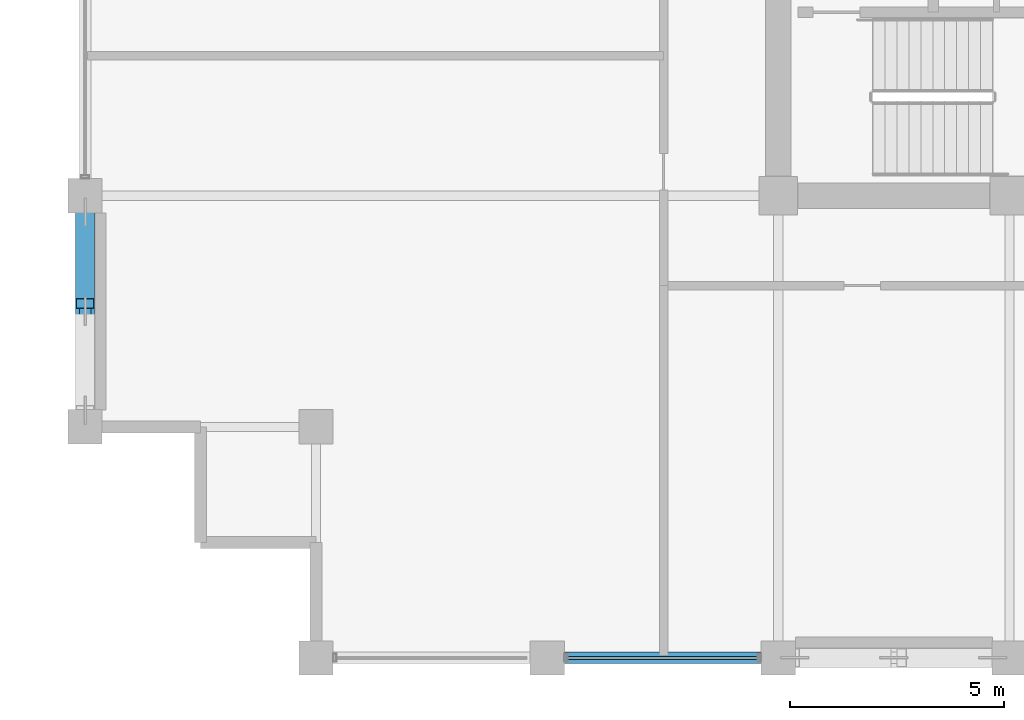
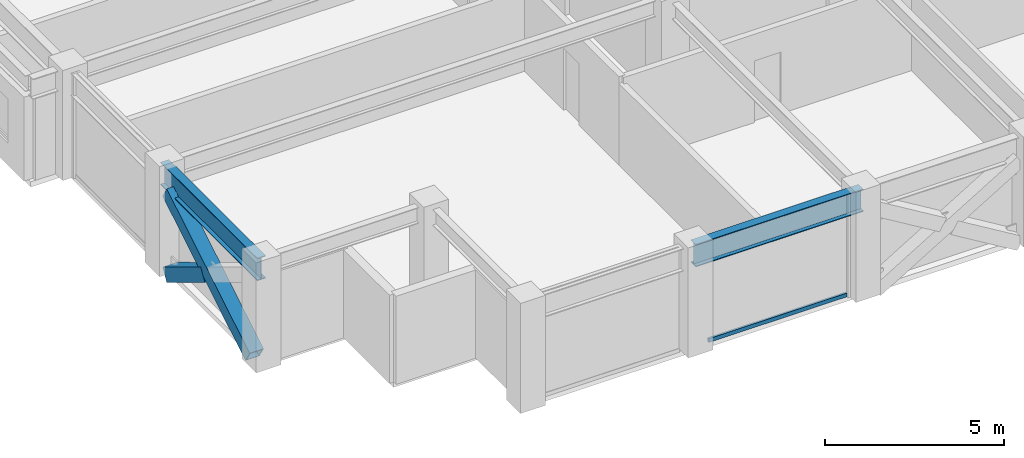
# One storey, part 3 of 30: 3 members, 2 beams, 1 element without a shape of its own.
"""IFC4 building model written with IfcOpenShell, lengths in metres."""

import ifcopenshell
import ifcopenshell.guid

model = None  # the IFC model being written
_history = None  # IfcOwnerHistory: only IFC2X3 demands one
_inside = {}  # id of a spatial element -> (the spatial element, [elements in it])
_under = {}  # id of a project, library or spatial element -> (it, [spatial elements below it])
_declared = {}  # id of a project -> (the project, [libraries it declares])
_typed = {}  # id of a type object -> (the type object, [elements of that type])
_made_of = {}  # id of a material, layer set ... -> (it, [elements and type objects made of it])


def new_model(schema):
    """Start an empty IFC model of exactly this schema.

    Asked for "IFC4X3", IfcOpenShell would pick the latest addendum, in which some entities
    have other attributes; the version numbers below select the first issue.
    IFC2X3 requires an IfcOwnerHistory on every rooted entity: one is made here for all.
    """
    global model, _history
    if schema == "IFC4X3":
        model = ifcopenshell.file(schema_version=(4, 3, 0, 0))
    else:
        model = ifcopenshell.file(schema=schema)
    _inside.clear()
    _under.clear()
    _declared.clear()
    _typed.clear()
    _made_of.clear()
    _history = None
    if model.schema == "IFC2X3":
        org = make("IfcOrganization", Name="unknown")
        user = make(
            "IfcPersonAndOrganization",
            ThePerson=make("IfcPerson", FamilyName="unknown"),
            TheOrganization=org,
        )
        app = make(
            "IfcApplication",
            ApplicationDeveloper=org,
            Version="unknown",
            ApplicationFullName="unknown",
            ApplicationIdentifier="unknown",
        )
        _history = make(
            "IfcOwnerHistory",
            OwningUser=user,
            OwningApplication=app,
            ChangeAction="ADDED",
            CreationDate=0,
        )
    return model


def make(cls, **values):
    """One entity of the class cls with the attributes given. An attribute that is None is left unset."""
    return model.create_entity(
        cls, **{name: value for name, value in values.items() if value is not None}
    )


def rooted(cls, **values):
    """An entity with a GlobalId (a new one), such as an element, a storey or a relation."""
    return make(cls, GlobalId=ifcopenshell.guid.new(), OwnerHistory=_history, **values)


def si_unit(unit_type, name, prefix=None):
    """IfcSIUnit, for example si_unit("LENGTHUNIT", "METRE", prefix="MILLI")."""
    return make("IfcSIUnit", UnitType=unit_type, Prefix=prefix, Name=name)


def assignment(units):
    """IfcUnitAssignment: the units of a project."""
    return None if units is None else make("IfcUnitAssignment", Units=units)


def point(xyz):
    """IfcCartesianPoint."""
    return None if xyz is None else make("IfcCartesianPoint", Coordinates=xyz)


def direction(xyz):
    """IfcDirection."""
    return None if xyz is None else make("IfcDirection", DirectionRatios=xyz)


def frame(location, z_axis=None, x_axis=None):
    """IfcAxis2Placement3D, a coordinate frame: its origin and axes. An axis left out is left unset."""
    return make(
        "IfcAxis2Placement3D",
        Location=point(location),
        Axis=direction(z_axis),
        RefDirection=direction(x_axis),
    )


def frame_2d(location, x_axis=None):
    """IfcAxis2Placement2D, a coordinate frame in the plane: its origin and x axis."""
    return make(
        "IfcAxis2Placement2D", Location=point(location), RefDirection=direction(x_axis)
    )


def origin():
    """The frame at (0, 0, 0) with its axes left unset."""
    return frame((0.0, 0.0, 0.0))


def origin_2d():
    """The frame at (0, 0) in the plane with its x axis left unset."""
    return frame_2d((0.0, 0.0))


def place(relative_to, where):
    """IfcLocalPlacement: puts the frame where relative to a parent placement (None: the world)."""
    return make(
        "IfcLocalPlacement", PlacementRelTo=relative_to, RelativePlacement=where
    )


def context(
    kind, dimensions, precision=None, world=None, true_north=None, identifier=None
):
    """IfcGeometricRepresentationContext, for example the 3D "Model" context."""
    return make(
        "IfcGeometricRepresentationContext",
        ContextIdentifier=identifier,
        ContextType=kind,
        CoordinateSpaceDimension=dimensions,
        Precision=precision,
        WorldCoordinateSystem=world,
        TrueNorth=true_north,
    )


def subcontext(parent, identifier, kind, view, scale=None):
    """IfcGeometricRepresentationSubContext, for example "Body" below "Model"."""
    return make(
        "IfcGeometricRepresentationSubContext",
        ContextIdentifier=identifier,
        ContextType=kind,
        ParentContext=parent,
        TargetScale=scale,
        TargetView=view,
    )


def project(units=None, contexts=None):
    """IfcProject with its units and contexts."""
    return rooted(
        "IfcProject",
        Name="project",
        RepresentationContexts=contexts,
        UnitsInContext=assignment(units),
    )


def spatial(cls, under=None, at=None, **own):
    """A site, building, storey or space (cls), placed at a placement, below another one or the project."""
    s = rooted(cls, ObjectPlacement=at, **own)
    if under is not None:
        _under.setdefault(under.id(), (under, []))[1].append(s)
    return s


def profile(cls, at=None, kind="AREA", **sizes):
    """A parametric profile (cls). Its sizes go by their IFC names, for example OverallWidth=200.0."""
    return make(cls, ProfileType=kind, Position=at, **sizes)


def hollow_rectangle(**sizes):
    """IfcRectangleHollowProfileDef."""
    return profile("IfcRectangleHollowProfileDef", **sizes)


def i_section(**sizes):
    """IfcIShapeProfileDef."""
    return profile("IfcIShapeProfileDef", **sizes)


def extrude(swept, where, along, depth):
    """IfcExtrudedAreaSolid: the profile swept, set in the frame where, extruded along a direction by depth."""
    return make(
        "IfcExtrudedAreaSolid",
        SweptArea=swept,
        Position=where,
        ExtrudedDirection=direction(along),
        Depth=depth,
    )


def shape(context_of_items, identifier, shape_type, items):
    """IfcShapeRepresentation: the items that make up one representation, for example the "Body"."""
    return make(
        "IfcShapeRepresentation",
        ContextOfItems=context_of_items,
        RepresentationIdentifier=identifier,
        RepresentationType=shape_type,
        Items=items,
    )


def material(Name=None, Category=None):
    """IfcMaterial."""
    return make("IfcMaterial", Name=Name, Category=Category)


def layer(
    of_material, thickness, ventilated=None, Name=None, Category=None, Priority=None
):
    """IfcMaterialLayer: one layer of a wall or slab, of a material (None: an air gap)."""
    return make(
        "IfcMaterialLayer",
        Material=of_material,
        LayerThickness=thickness,
        IsVentilated=ventilated,
        Name=Name,
        Category=Category,
        Priority=Priority,
    )


def layer_set(layers, Name=None):
    """IfcMaterialLayerSet."""
    return make("IfcMaterialLayerSet", MaterialLayers=layers, LayerSetName=Name)


def material_profile(
    of_material, cross_section, Name=None, Category=None, Priority=None
):
    """IfcMaterialProfile: a cross section and its material."""
    return make(
        "IfcMaterialProfile",
        Name=Name,
        Material=of_material,
        Profile=cross_section,
        Priority=Priority,
        Category=Category,
    )


def profile_set(profiles, Name=None, composite=None):
    """IfcMaterialProfileSet."""
    return make(
        "IfcMaterialProfileSet",
        Name=Name,
        MaterialProfiles=profiles,
        CompositeProfile=composite,
    )


def made_of(thing, what):
    """Note that an element or type object is made of a material, layer set ...; save() writes the relation."""
    if what is not None:
        _made_of.setdefault(what.id(), (what, []))[1].append(thing)
    return thing


def type_object(cls, material=None, **own):
    """A type object (cls), such as IfcWallType, which elements share."""
    return made_of(rooted(cls, **own), material)


def element(
    cls,
    number,
    at=None,
    inside=None,
    cuts=None,
    type_object=None,
    material=None,
    context=None,
    identifier="Body",
    shape_type=None,
    held_by="IfcProductDefinitionShape",
    body=None,
    shapes=None,
    **own,
):
    """One element of the class cls, such as IfcWall. Its Tag is "e" and its number.

    at: its placement. inside: the storey or other place that contains it. cuts: it is an
    opening in that element (IfcRelVoidsElement). A single representation is given by context,
    identifier, shape_type and body (its items); several are given by shapes. held_by: the class
    of the entity that holds the representations. save() writes the other relations.
    """
    e = rooted(cls, Tag="e%d" % number, ObjectPlacement=at, **own)
    if body is not None:
        shapes = [shape(context, identifier, shape_type, body)]
    if shapes is not None:
        e.Representation = make(held_by, Representations=shapes)
    if inside is not None:
        _inside.setdefault(inside.id(), (inside, []))[1].append(e)
    if cuts is not None:
        rooted(
            "IfcRelVoidsElement", RelatingBuildingElement=cuts, RelatedOpeningElement=e
        )
    if type_object is not None:
        _typed.setdefault(type_object.id(), (type_object, []))[1].append(e)
    return made_of(e, material)


def aggregate(whole, parts):
    """IfcRelAggregates: a whole, such as a stair, and the parts it consists of."""
    return rooted("IfcRelAggregates", RelatingObject=whole, RelatedObjects=parts)


def save(model, path):
    """Write the relations noted so far, then the file.

    IfcRelAggregates (storeys below a building ...), IfcRelContainedInSpatialStructure (elements
    in a storey), IfcRelDefinesByType, IfcRelAssociatesMaterial and IfcRelDeclares: one each for
    every whole, place, type object, material and project.
    """
    for whole, parts in _under.values():
        aggregate(whole, parts)
    for where, things in _inside.values():
        rooted(
            "IfcRelContainedInSpatialStructure",
            RelatedElements=things,
            RelatingStructure=where,
        )
    for kind, things in _typed.values():
        rooted("IfcRelDefinesByType", RelatedObjects=things, RelatingType=kind)
    for what, things in _made_of.values():
        rooted("IfcRelAssociatesMaterial", RelatedObjects=things, RelatingMaterial=what)
    for by, libraries in _declared.values():
        rooted("IfcRelDeclares", RelatingContext=by, RelatedDefinitions=libraries)
    model.write(path)


model = new_model("IFC4")

# Units and contexts
model_context = context("Model", 3, precision=1e-05, world=origin(), true_north=direction((0.0, 1.0)))
body_context = subcontext(model_context, "Body", "Model", "MODEL_VIEW")
ifc_project = project(units=[si_unit("LENGTHUNIT", "METRE"), si_unit("AREAUNIT", "SQUARE_METRE"), si_unit("VOLUMEUNIT", "CUBIC_METRE"), si_unit("PLANEANGLEUNIT", "RADIAN"), si_unit("MASSUNIT", "GRAM", prefix="KILO")], contexts=[model_context])

# Site, building, storey
site_placement = place(None, origin())
site = spatial("IfcSite", under=ifc_project, at=site_placement, CompositionType="ELEMENT")
building_placement = place(site_placement, origin())
building = spatial("IfcBuilding", under=site, at=building_placement, Name="Surkhivell Harbour Commons", CompositionType="ELEMENT")
storey_placement = place(building_placement, frame((0.0, 0.0, 231.0)))
storey = spatial("IfcBuildingStorey", under=building, at=storey_placement, Name="L60", CompositionType="ELEMENT", Elevation=231.0)

# Beams
ifc_material_1 = material(Name="Steel S355", Category="steel")
ifc_material_profile_1 = material_profile(ifc_material_1, i_section(OverallWidth=0.26806640625, OverallDepth=0.77001953125, WebThickness=0.015625, FlangeThickness=0.025390625, at=origin_2d()), Name="UB762x267x197")
ifc_profile_set_1 = profile_set([ifc_material_profile_1], Name="Steel S355")
beam_type = type_object("IfcBeamType", Name="BM-SPN-762", PredefinedType="SPANDREL", material=ifc_profile_set_1)
for number, where, z_axis, x_axis, name in (
    (1, (-27.0, -16.199951171875, 3.18505859375), (0.0, 1.0, 0.0), (-1.0, 0.0, 0.0), "L60 Tube Spandrel (-27.0,-16.2)"),
    (2, (-16.199951171875, -21.60009765625, 3.18505859375), (1.0, 0.0, 0.0), (0.0, 1.0, 0.0), "L60 Tube Spandrel (-16.2,-21.6)"),
):
    element("IfcBeam", number, at=place(storey_placement, frame(where, z_axis=z_axis, x_axis=x_axis)), inside=storey, type_object=beam_type, Name=name, PredefinedType="SPANDREL", context=body_context, shape_type="SweptSolid", body=[
        extrude(i_section(OverallWidth=0.26806640625, OverallDepth=0.77001953125, WebThickness=0.015625, FlangeThickness=0.025390625, at=origin_2d()), origin(), (0.0, 0.0, 1.0), 5.39990234375),
    ])

# Curtain wall, member
ifc_material_2 = material(Name="Anodised pale-metal aluminium and insulated glazing", Category="aluminium")
ifc_layer = layer(ifc_material_2, 0.18994140625)
ifc_layer_set = layer_set([ifc_layer], Name="Anodised pale-metal aluminium and insulated glazing")
curtain_wall_type = type_object("IfcCurtainWallType", Name="CW-SYS-Z3", PredefinedType="NOTDEFINED", material=ifc_layer_set)
curtain_wall_placement = place(storey_placement, origin())
curtain_wall = element("IfcCurtainWall", 3, at=curtain_wall_placement, inside=storey, type_object=curtain_wall_type, Name="L60 Curtain Wall CW-L60-E00S1", PredefinedType="NOTDEFINED")
ifc_material_3 = material(Name="Champagne anodised aluminium alloy 6063-T6", Category="aluminium")
ifc_material_profile_2 = material_profile(ifc_material_3, hollow_rectangle(XDim=0.070068359375, YDim=0.1298828125, WallThickness=0.00341796875, at=origin_2d()), Name="ALU-TRAN-70x130")
ifc_profile_set_2 = profile_set([ifc_material_profile_2], Name="Champagne anodised aluminium alloy 6063-T6")
member_type_1 = type_object("IfcMemberType", Name="CWT-130", PredefinedType="USERDEFINED", material=ifc_profile_set_2)
member_1_placement = place(storey_placement, frame((-15.722900390625, -21.60009765625, 0.06494140625), z_axis=(1.0, 0.0, 0.0), x_axis=(0.0, 1.0, 0.0)))
member_1 = element("IfcMember", 4, at=member_1_placement, type_object=member_type_1, Name="CW-Z3 transom 2.1", ObjectType="TRANSOM", PredefinedType="USERDEFINED", context=body_context, shape_type="SweptSolid", body=[
    extrude(hollow_rectangle(XDim=0.070068359375, YDim=0.1298828125, WallThickness=0.00341796875, at=origin_2d()), origin(), (0.0, 0.0, 1.0), 4.44580078125),
])
aggregate(curtain_wall, [member_1])

# Members
ifc_material_4 = material(Name="Steel S460", Category="steel")
ifc_material_profile_3 = material_profile(ifc_material_4, hollow_rectangle(XDim=0.449951171875, YDim=0.449951171875, WallThickness=0.02197265625, at=origin_2d()), Name="SHS450x450x22")
ifc_profile_set_3 = profile_set([ifc_material_profile_3], Name="Steel S460")
member_type_2 = type_object("IfcMemberType", Name="MEM-BRC-SHS450", PredefinedType="BRACE", material=ifc_profile_set_3)
member_2_placement = place(storey_placement, frame((-27.0, -15.81494140625, 0.008056640625), z_axis=(0.0, 0.856023742961, 0.516936506243), x_axis=(-1.0, 0.0, 0.0)))
element("IfcMember", 5, at=member_2_placement, inside=storey, type_object=member_type_2, Name="L60 Perimeter Mega-Brace MB- 10", PredefinedType="BRACE", context=body_context, shape_type="SweptSolid", body=[
    extrude(hollow_rectangle(XDim=0.449951171875, YDim=0.449951171875, WallThickness=0.02197265625, at=origin_2d()), origin(), (0.0, 0.0, 1.0), 5.40869140625),
])
member_3_placement = place(storey_placement, frame((-27.0, -11.18505859375, 0.008056640625), z_axis=(0.0, -0.856061168755, 0.516874525731), x_axis=(1.0, 0.0, 0.0)))
element("IfcMember", 6, at=member_3_placement, inside=storey, type_object=member_type_2, Name="L60 Perimeter Mega-Brace MB- 11", PredefinedType="BRACE", context=body_context, shape_type="SweptSolid", body=[
    extrude(hollow_rectangle(XDim=0.449951171875, YDim=0.449951171875, WallThickness=0.02197265625, at=origin_2d()), origin(), (0.0, 0.0, 1.0), 2.48828125),
])

save(model, "model.ifc")
